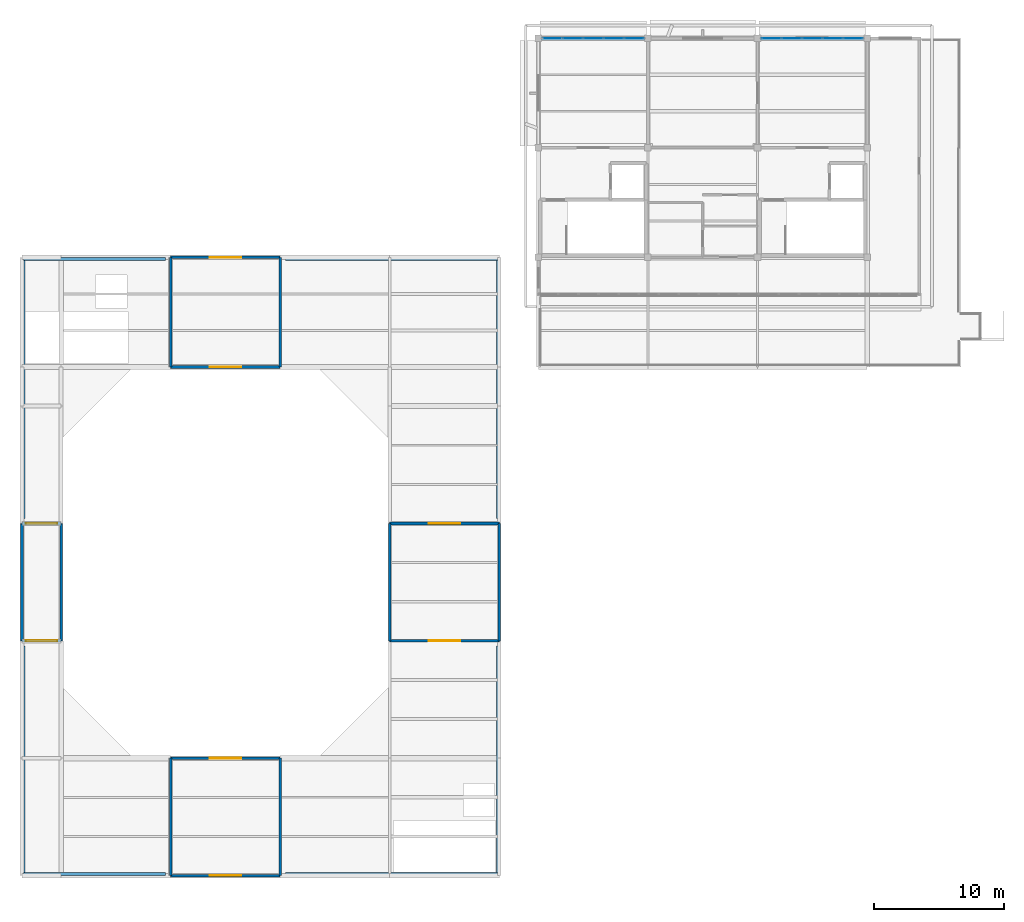
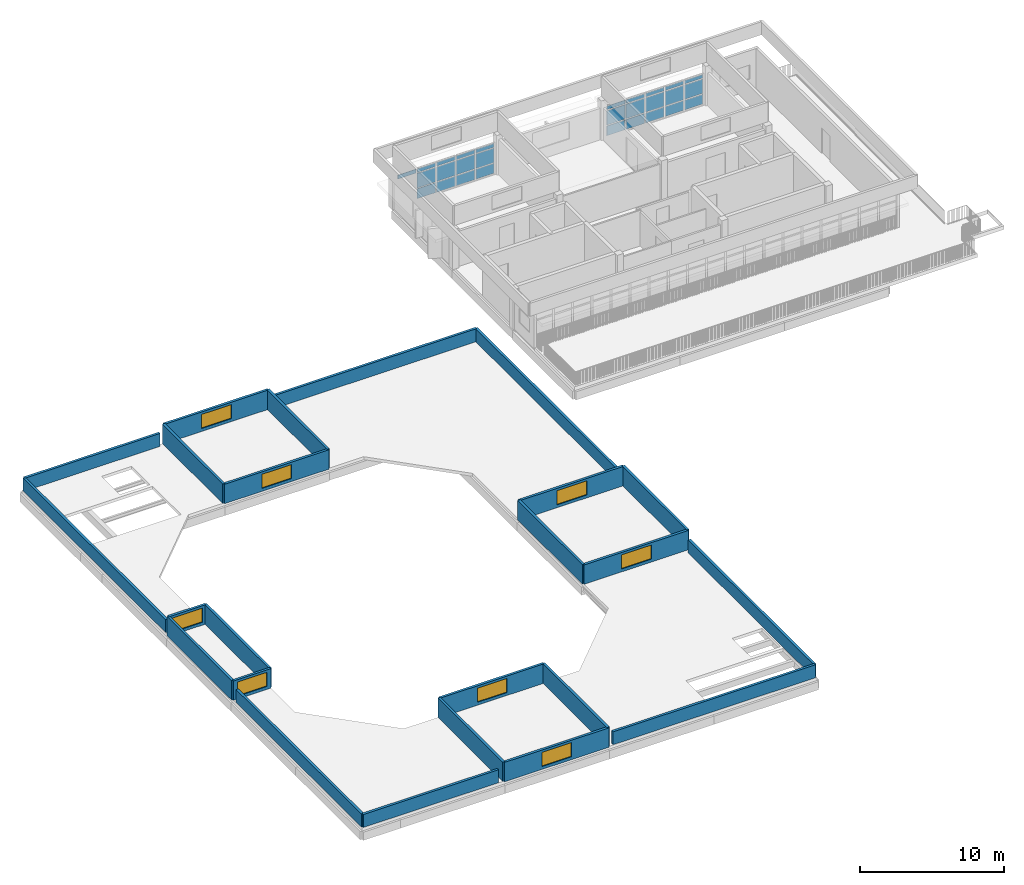
# One storey, part 7 of 14: 28 plates, 24 walls, 8 windows, 8 openings, 2 elements without a shape of their own.
"""IFC4 building model written with IfcOpenShell, lengths in metres."""

from ifc_helpers import new_model, si_unit, direction, frame, frame_2d, origin, origin_2d, place, context, subcontext, project, spatial, rectangle, extrude, material, layer, layer_set, type_object, element, fill, aggregate, save


model = new_model("IFC4")

# Units and contexts
model_context = context("Model", 3, precision=1e-05, world=origin(), true_north=direction((0.0, 1.0)))
body_context = subcontext(model_context, "Body", "Model", "MODEL_VIEW")
ifc_project = project(units=[si_unit("LENGTHUNIT", "METRE"), si_unit("AREAUNIT", "SQUARE_METRE"), si_unit("VOLUMEUNIT", "CUBIC_METRE"), si_unit("PLANEANGLEUNIT", "RADIAN"), si_unit("MASSUNIT", "GRAM", prefix="KILO")], contexts=[model_context])

# Site, building, storey
site_placement = place(None, origin())
site = spatial("IfcSite", under=ifc_project, at=site_placement, CompositionType="ELEMENT")
building_placement = place(site_placement, origin())
building = spatial("IfcBuilding", under=site, at=building_placement, Name="Vanh Quang Courtyard School", CompositionType="ELEMENT")
storey_placement = place(building_placement, frame((0.0, 0.0, 22.199951171875)))
storey = spatial("IfcBuildingStorey", under=building, at=storey_placement, Name="L06", CompositionType="ELEMENT", Elevation=22.199951171875)

# Curtain wall, plates
ifc_material_1 = material(Name="Thermally broken aluminium unitised curtain wall", Category="aluminium")
curtain_wall_type = type_object("IfcCurtainWallType", Name="CW-SYS-23", PredefinedType="NOTDEFINED", material=ifc_material_1)
curtain_wall_1_placement = place(storey_placement, origin())
curtain_wall_1 = element("IfcCurtainWall", 1, at=curtain_wall_1_placement, inside=storey, type_object=curtain_wall_type, Name="Curtain Wall CW-23 (L06)", PredefinedType="NOTDEFINED")
ifc_material_2 = material(Name="Low-E laminated double glazing", Category="glass")
ifc_layer_1 = layer(ifc_material_2, 0.028076171875)
ifc_layer_set_1 = layer_set([ifc_layer_1], Name="Low-E laminated double glazing")
plate_type_1 = type_object("IfcPlateType", Name="CW-PNL-28", PredefinedType="CURTAIN_PANEL", material=ifc_layer_set_1)
plate_1_placement = place(storey_placement, frame((78.4638671875, 96.60009765625, 2.28515625), z_axis=(0.0, 0.0, 1.0), x_axis=(1.0, 0.0, 0.0)))
plate_1 = element("IfcPlate", 2, at=plate_1_placement, type_object=plate_type_1, Name="CW-23 panel 1.3", PredefinedType="CURTAIN_PANEL", context=body_context, shape_type="SweptSolid", body=[
    extrude(rectangle(XDim=1.4716796875, YDim=0.028076171875, at=origin_2d()), origin(), (0.0, 0.0, 1.0), 0.324951171875),
])
plate_2_placement = place(storey_placement, frame((80.023193359375, 96.60009765625, 0.06982421875), z_axis=(0.0, 0.0, 1.0), x_axis=(1.0, 0.0, 0.0)))
plate_2 = element("IfcPlate", 3, at=plate_2_placement, type_object=plate_type_1, Name="CW-23 panel 2.1", PredefinedType="CURTAIN_PANEL", context=body_context, shape_type="SweptSolid", body=[
    extrude(rectangle(XDim=1.5068359375, YDim=0.028076171875, at=origin_2d()), origin(), (0.0, 0.0, 1.0), 0.844970703125),
])
plate_3_placement = place(storey_placement, frame((80.023193359375, 96.60009765625, 0.985107421875), z_axis=(0.0, 0.0, 1.0), x_axis=(1.0, 0.0, 0.0)))
plate_3 = element("IfcPlate", 4, at=plate_3_placement, type_object=plate_type_1, Name="CW-23 panel 2.2", PredefinedType="CURTAIN_PANEL", context=body_context, shape_type="SweptSolid", body=[
    extrude(rectangle(XDim=1.5068359375, YDim=0.028076171875, at=origin_2d()), origin(), (0.0, 0.0, 1.0), 1.22998046875),
])
plate_4_placement = place(storey_placement, frame((80.023193359375, 96.60009765625, 2.28515625), z_axis=(0.0, 0.0, 1.0), x_axis=(1.0, 0.0, 0.0)))
plate_4 = element("IfcPlate", 5, at=plate_4_placement, type_object=plate_type_1, Name="CW-23 panel 2.3", PredefinedType="CURTAIN_PANEL", context=body_context, shape_type="SweptSolid", body=[
    extrude(rectangle(XDim=1.5068359375, YDim=0.028076171875, at=origin_2d()), origin(), (0.0, 0.0, 1.0), 0.324951171875),
])
plate_5_placement = place(storey_placement, frame((81.60009765625, 96.60009765625, 0.06982421875), z_axis=(0.0, 0.0, 1.0), x_axis=(1.0, 0.0, 0.0)))
plate_5 = element("IfcPlate", 6, at=plate_5_placement, type_object=plate_type_1, Name="CW-23 panel 3.1", PredefinedType="CURTAIN_PANEL", context=body_context, shape_type="SweptSolid", body=[
    extrude(rectangle(XDim=1.5068359375, YDim=0.028076171875, at=origin_2d()), origin(), (0.0, 0.0, 1.0), 0.844970703125),
])
plate_6_placement = place(storey_placement, frame((81.60009765625, 96.60009765625, 0.985107421875), z_axis=(0.0, 0.0, 1.0), x_axis=(1.0, 0.0, 0.0)))
plate_6 = element("IfcPlate", 7, at=plate_6_placement, type_object=plate_type_1, Name="CW-23 panel 3.2", PredefinedType="CURTAIN_PANEL", context=body_context, shape_type="SweptSolid", body=[
    extrude(rectangle(XDim=1.5068359375, YDim=0.028076171875, at=origin_2d()), origin(), (0.0, 0.0, 1.0), 1.22998046875),
])
plate_7_placement = place(storey_placement, frame((81.60009765625, 96.60009765625, 2.28515625), z_axis=(0.0, 0.0, 1.0), x_axis=(1.0, 0.0, 0.0)))
plate_7 = element("IfcPlate", 8, at=plate_7_placement, type_object=plate_type_1, Name="CW-23 panel 3.3", PredefinedType="CURTAIN_PANEL", context=body_context, shape_type="SweptSolid", body=[
    extrude(rectangle(XDim=1.5068359375, YDim=0.028076171875, at=origin_2d()), origin(), (0.0, 0.0, 1.0), 0.324951171875),
])
plate_8_placement = place(storey_placement, frame((83.1767578125, 96.60009765625, 0.06982421875), z_axis=(0.0, 0.0, 1.0), x_axis=(1.0, 0.0, 0.0)))
plate_8 = element("IfcPlate", 9, at=plate_8_placement, type_object=plate_type_1, Name="CW-23 panel 4.1", PredefinedType="CURTAIN_PANEL", context=body_context, shape_type="SweptSolid", body=[
    extrude(rectangle(XDim=1.5068359375, YDim=0.028076171875, at=origin_2d()), origin(), (0.0, 0.0, 1.0), 0.844970703125),
])
plate_9_placement = place(storey_placement, frame((83.1767578125, 96.60009765625, 0.985107421875), z_axis=(0.0, 0.0, 1.0), x_axis=(1.0, 0.0, 0.0)))
plate_9 = element("IfcPlate", 10, at=plate_9_placement, type_object=plate_type_1, Name="CW-23 panel 4.2", PredefinedType="CURTAIN_PANEL", context=body_context, shape_type="SweptSolid", body=[
    extrude(rectangle(XDim=1.5068359375, YDim=0.028076171875, at=origin_2d()), origin(), (0.0, 0.0, 1.0), 1.22998046875),
])
plate_10_placement = place(storey_placement, frame((83.1767578125, 96.60009765625, 2.28515625), z_axis=(0.0, 0.0, 1.0), x_axis=(1.0, 0.0, 0.0)))
plate_10 = element("IfcPlate", 11, at=plate_10_placement, type_object=plate_type_1, Name="CW-23 panel 4.3", PredefinedType="CURTAIN_PANEL", context=body_context, shape_type="SweptSolid", body=[
    extrude(rectangle(XDim=1.5068359375, YDim=0.028076171875, at=origin_2d()), origin(), (0.0, 0.0, 1.0), 0.324951171875),
])
plate_11_placement = place(storey_placement, frame((84.736083984375, 96.60009765625, 0.06982421875), z_axis=(0.0, 0.0, 1.0), x_axis=(1.0, 0.0, 0.0)))
plate_11 = element("IfcPlate", 12, at=plate_11_placement, type_object=plate_type_1, Name="CW-23 panel 5.1", PredefinedType="CURTAIN_PANEL", context=body_context, shape_type="SweptSolid", body=[
    extrude(rectangle(XDim=1.4716796875, YDim=0.028076171875, at=origin_2d()), origin(), (0.0, 0.0, 1.0), 0.844970703125),
])
plate_12_placement = place(storey_placement, frame((84.736083984375, 96.60009765625, 0.985107421875), z_axis=(0.0, 0.0, 1.0), x_axis=(1.0, 0.0, 0.0)))
plate_12 = element("IfcPlate", 13, at=plate_12_placement, type_object=plate_type_1, Name="CW-23 panel 5.2", PredefinedType="CURTAIN_PANEL", context=body_context, shape_type="SweptSolid", body=[
    extrude(rectangle(XDim=1.4716796875, YDim=0.028076171875, at=origin_2d()), origin(), (0.0, 0.0, 1.0), 1.22998046875),
])
plate_13_placement = place(storey_placement, frame((84.736083984375, 96.60009765625, 2.28515625), z_axis=(0.0, 0.0, 1.0), x_axis=(1.0, 0.0, 0.0)))
plate_13 = element("IfcPlate", 14, at=plate_13_placement, type_object=plate_type_1, Name="CW-23 panel 5.3", PredefinedType="CURTAIN_PANEL", context=body_context, shape_type="SweptSolid", body=[
    extrude(rectangle(XDim=1.4716796875, YDim=0.028076171875, at=origin_2d()), origin(), (0.0, 0.0, 1.0), 0.324951171875),
])
aggregate(curtain_wall_1, [plate_1, plate_2, plate_3, plate_4, plate_5, plate_6, plate_7, plate_8, plate_9, plate_10, plate_11, plate_12, plate_13])

curtain_wall_2_placement = place(storey_placement, origin())
curtain_wall_2 = element("IfcCurtainWall", 15, at=curtain_wall_2_placement, inside=storey, type_object=curtain_wall_type, Name="Curtain Wall CW-23 (L06)", PredefinedType="NOTDEFINED")
ifc_layer_2 = layer(ifc_material_2, 0.031982421875)
ifc_layer_set_2 = layer_set([ifc_layer_2], Name="Low-E laminated double glazing")
plate_type_2 = type_object("IfcPlateType", Name="CW-PNL-32", PredefinedType="CURTAIN_PANEL", material=ifc_layer_set_2)
plate_14_placement = place(storey_placement, frame((95.266357421875, 96.60009765625, 0.080078125), z_axis=(0.0, 0.0, 1.0), x_axis=(1.0, 0.0, 0.0)))
plate_14 = element("IfcPlate", 16, at=plate_14_placement, type_object=plate_type_2, Name="CW-23 panel 1.1", PredefinedType="CURTAIN_PANEL", context=body_context, shape_type="SweptSolid", body=[
    extrude(rectangle(XDim=1.456787109375, YDim=0.031982421875, at=origin_2d()), origin(), (0.0, 0.0, 1.0), 0.830078125),
])
plate_15_placement = place(storey_placement, frame((95.266357421875, 96.60009765625, 0.990234375), z_axis=(0.0, 0.0, 1.0), x_axis=(1.0, 0.0, 0.0)))
plate_15 = element("IfcPlate", 17, at=plate_15_placement, type_object=plate_type_2, Name="CW-23 panel 1.2", PredefinedType="CURTAIN_PANEL", context=body_context, shape_type="SweptSolid", body=[
    extrude(rectangle(XDim=1.456787109375, YDim=0.031982421875, at=origin_2d()), origin(), (0.0, 0.0, 1.0), 1.219970703125),
])
plate_16_placement = place(storey_placement, frame((95.266357421875, 96.60009765625, 2.2900390625), z_axis=(0.0, 0.0, 1.0), x_axis=(1.0, 0.0, 0.0)))
plate_16 = element("IfcPlate", 18, at=plate_16_placement, type_object=plate_type_2, Name="CW-23 panel 1.3", PredefinedType="CURTAIN_PANEL", context=body_context, shape_type="SweptSolid", body=[
    extrude(rectangle(XDim=1.456787109375, YDim=0.031982421875, at=origin_2d()), origin(), (0.0, 0.0, 1.0), 0.31005859375),
])
plate_17_placement = place(storey_placement, frame((96.8232421875, 96.60009765625, 0.080078125), z_axis=(0.0, 0.0, 1.0), x_axis=(1.0, 0.0, 0.0)))
plate_17 = element("IfcPlate", 19, at=plate_17_placement, type_object=plate_type_2, Name="CW-23 panel 2.1", PredefinedType="CURTAIN_PANEL", context=body_context, shape_type="SweptSolid", body=[
    extrude(rectangle(XDim=1.496826171875, YDim=0.031982421875, at=origin_2d()), origin(), (0.0, 0.0, 1.0), 0.830078125),
])
plate_18_placement = place(storey_placement, frame((96.8232421875, 96.60009765625, 0.990234375), z_axis=(0.0, 0.0, 1.0), x_axis=(1.0, 0.0, 0.0)))
plate_18 = element("IfcPlate", 20, at=plate_18_placement, type_object=plate_type_2, Name="CW-23 panel 2.2", PredefinedType="CURTAIN_PANEL", context=body_context, shape_type="SweptSolid", body=[
    extrude(rectangle(XDim=1.496826171875, YDim=0.031982421875, at=origin_2d()), origin(), (0.0, 0.0, 1.0), 1.219970703125),
])
plate_19_placement = place(storey_placement, frame((96.8232421875, 96.60009765625, 2.2900390625), z_axis=(0.0, 0.0, 1.0), x_axis=(1.0, 0.0, 0.0)))
plate_19 = element("IfcPlate", 21, at=plate_19_placement, type_object=plate_type_2, Name="CW-23 panel 2.3", PredefinedType="CURTAIN_PANEL", context=body_context, shape_type="SweptSolid", body=[
    extrude(rectangle(XDim=1.496826171875, YDim=0.031982421875, at=origin_2d()), origin(), (0.0, 0.0, 1.0), 0.31005859375),
])
plate_20_placement = place(storey_placement, frame((98.39990234375, 96.60009765625, 0.080078125), z_axis=(0.0, 0.0, 1.0), x_axis=(1.0, 0.0, 0.0)))
plate_20 = element("IfcPlate", 22, at=plate_20_placement, type_object=plate_type_2, Name="CW-23 panel 3.1", PredefinedType="CURTAIN_PANEL", context=body_context, shape_type="SweptSolid", body=[
    extrude(rectangle(XDim=1.496826171875, YDim=0.031982421875, at=origin_2d()), origin(), (0.0, 0.0, 1.0), 0.830078125),
])
plate_21_placement = place(storey_placement, frame((98.39990234375, 96.60009765625, 0.990234375), z_axis=(0.0, 0.0, 1.0), x_axis=(1.0, 0.0, 0.0)))
plate_21 = element("IfcPlate", 23, at=plate_21_placement, type_object=plate_type_2, Name="CW-23 panel 3.2", PredefinedType="CURTAIN_PANEL", context=body_context, shape_type="SweptSolid", body=[
    extrude(rectangle(XDim=1.496826171875, YDim=0.031982421875, at=origin_2d()), origin(), (0.0, 0.0, 1.0), 1.219970703125),
])
plate_22_placement = place(storey_placement, frame((98.39990234375, 96.60009765625, 2.2900390625), z_axis=(0.0, 0.0, 1.0), x_axis=(1.0, 0.0, 0.0)))
plate_22 = element("IfcPlate", 24, at=plate_22_placement, type_object=plate_type_2, Name="CW-23 panel 3.3", PredefinedType="CURTAIN_PANEL", context=body_context, shape_type="SweptSolid", body=[
    extrude(rectangle(XDim=1.496826171875, YDim=0.031982421875, at=origin_2d()), origin(), (0.0, 0.0, 1.0), 0.31005859375),
])
plate_23_placement = place(storey_placement, frame((99.976806640625, 96.60009765625, 0.080078125), z_axis=(0.0, 0.0, 1.0), x_axis=(1.0, 0.0, 0.0)))
plate_23 = element("IfcPlate", 25, at=plate_23_placement, type_object=plate_type_2, Name="CW-23 panel 4.1", PredefinedType="CURTAIN_PANEL", context=body_context, shape_type="SweptSolid", body=[
    extrude(rectangle(XDim=1.496826171875, YDim=0.031982421875, at=origin_2d()), origin(), (0.0, 0.0, 1.0), 0.830078125),
])
plate_24_placement = place(storey_placement, frame((99.976806640625, 96.60009765625, 0.990234375), z_axis=(0.0, 0.0, 1.0), x_axis=(1.0, 0.0, 0.0)))
plate_24 = element("IfcPlate", 26, at=plate_24_placement, type_object=plate_type_2, Name="CW-23 panel 4.2", PredefinedType="CURTAIN_PANEL", context=body_context, shape_type="SweptSolid", body=[
    extrude(rectangle(XDim=1.496826171875, YDim=0.031982421875, at=origin_2d()), origin(), (0.0, 0.0, 1.0), 1.219970703125),
])
plate_25_placement = place(storey_placement, frame((99.976806640625, 96.60009765625, 2.2900390625), z_axis=(0.0, 0.0, 1.0), x_axis=(1.0, 0.0, 0.0)))
plate_25 = element("IfcPlate", 27, at=plate_25_placement, type_object=plate_type_2, Name="CW-23 panel 4.3", PredefinedType="CURTAIN_PANEL", context=body_context, shape_type="SweptSolid", body=[
    extrude(rectangle(XDim=1.496826171875, YDim=0.031982421875, at=origin_2d()), origin(), (0.0, 0.0, 1.0), 0.31005859375),
])
plate_26_placement = place(storey_placement, frame((101.53369140625, 96.60009765625, 0.080078125), z_axis=(0.0, 0.0, 1.0), x_axis=(1.0, 0.0, 0.0)))
plate_26 = element("IfcPlate", 28, at=plate_26_placement, type_object=plate_type_2, Name="CW-23 panel 5.1", PredefinedType="CURTAIN_PANEL", context=body_context, shape_type="SweptSolid", body=[
    extrude(rectangle(XDim=1.456787109375, YDim=0.031982421875, at=origin_2d()), origin(), (0.0, 0.0, 1.0), 0.830078125),
])
plate_27_placement = place(storey_placement, frame((101.53369140625, 96.60009765625, 0.990234375), z_axis=(0.0, 0.0, 1.0), x_axis=(1.0, 0.0, 0.0)))
plate_27 = element("IfcPlate", 29, at=plate_27_placement, type_object=plate_type_2, Name="CW-23 panel 5.2", PredefinedType="CURTAIN_PANEL", context=body_context, shape_type="SweptSolid", body=[
    extrude(rectangle(XDim=1.456787109375, YDim=0.031982421875, at=origin_2d()), origin(), (0.0, 0.0, 1.0), 1.219970703125),
])
plate_28_placement = place(storey_placement, frame((101.53369140625, 96.60009765625, 2.2900390625), z_axis=(0.0, 0.0, 1.0), x_axis=(1.0, 0.0, 0.0)))
plate_28 = element("IfcPlate", 30, at=plate_28_placement, type_object=plate_type_2, Name="CW-23 panel 5.3", PredefinedType="CURTAIN_PANEL", context=body_context, shape_type="SweptSolid", body=[
    extrude(rectangle(XDim=1.456787109375, YDim=0.031982421875, at=origin_2d()), origin(), (0.0, 0.0, 1.0), 0.31005859375),
])
aggregate(curtain_wall_2, [plate_14, plate_15, plate_16, plate_17, plate_18, plate_19, plate_20, plate_21, plate_22, plate_23, plate_24, plate_25, plate_26, plate_27, plate_28])

# Wall, opening, window
ifc_material_3 = material(Name="Concrete C35/45", Category="concrete")
ifc_layer_3 = layer(ifc_material_3, 0.199951171875)
ifc_layer_set_3 = layer_set([ifc_layer_3], Name="Concrete C35/45")
wall_type_1 = type_object("IfcWallType", Name="W-MON-200", PredefinedType="SHEAR", material=ifc_layer_set_3)
wall_1_placement = place(storey_placement, frame((49.199951171875, 71.39990234375, 0.0), z_axis=(0.0, 0.0, 1.0), x_axis=(1.0, 0.0, 0.0)))
wall_1 = element("IfcWall", 31, at=wall_1_placement, inside=storey, type_object=wall_type_1, Name="Wall WM-01 (L06)", PredefinedType="SHEAR", context=body_context, shape_type="SweptSolid", body=[
    extrude(rectangle(XDim=8.400146484375, YDim=0.199951171875, at=frame_2d((4.2001953125, 0.0))), origin(), (0.0, 0.0, 1.0), 1.650146484375),
])
opening_1_placement = place(wall_1_placement, frame((3.0, 0.0, 0.25)))
opening_1 = element("IfcOpeningElement", 32, at=opening_1_placement, cuts=wall_1, Name="Opening WN-05", PredefinedType="OPENING", context=body_context, shape_type="SweptSolid", body=[
    extrude(rectangle(XDim=2.39990234375, YDim=1.199951171875, at=frame_2d((1.199951171875, 0.60009765625))), frame((0.0, 0.10986328125, 0.0), z_axis=(0.0, -1.0, 0.0), x_axis=(1.0, 0.0, 0.0)), (0.0, 0.0, 1.0), 0.219970703125),
])
ifc_material_4 = material(Name="Anodised aluminium and low-E double glazing", Category="aluminium")
window_type = type_object("IfcWindowType", Name="WIN-TYP-05", PartitioningType="SINGLE_PANEL", PredefinedType="WINDOW", material=ifc_material_4)
window_1_placement = place(opening_1_placement, origin())
window_1 = element("IfcWindow", 33, at=window_1_placement, inside=storey, type_object=window_type, Name="Window WN-05 (L06)", OverallHeight=1.199951171875, OverallWidth=2.39990234375, PartitioningType="SINGLE_PANEL", PredefinedType="WINDOW", context=body_context, shape_type="SweptSolid", body=[
    extrude(rectangle(XDim=2.39990234375, YDim=1.199951171875, at=frame_2d((1.199951171875, 0.60009765625))), frame((0.0, 0.030029296875, 0.0), z_axis=(0.0, -1.0, 0.0), x_axis=(1.0, 0.0, 0.0)), (0.0, 0.0, 1.0), 0.06005859375),
])
fill(opening_1, window_1)

# Wall
wall_2_placement = place(storey_placement, frame((57.60009765625, 71.39990234375, 0.0), z_axis=(0.0, 0.0, 1.0), x_axis=(0.0, 1.0, 0.0)))
element("IfcWall", 34, at=wall_2_placement, inside=storey, type_object=wall_type_1, Name="Wall WM-01 (L06)", PredefinedType="SHEAR", context=body_context, shape_type="SweptSolid", body=[
    extrude(rectangle(XDim=8.400146484375, YDim=0.199951171875, at=frame_2d((4.2001953125, 0.0))), origin(), (0.0, 0.0, 1.0), 1.650146484375),
])

# Wall, opening, window
wall_3_placement = place(storey_placement, frame((57.60009765625, 79.800048828125, 0.0), z_axis=(0.0, 0.0, 1.0), x_axis=(-1.0, 0.0, 0.0)))
wall_3 = element("IfcWall", 35, at=wall_3_placement, inside=storey, type_object=wall_type_1, Name="Wall WM-01 (L06)", PredefinedType="SHEAR", context=body_context, shape_type="SweptSolid", body=[
    extrude(rectangle(XDim=8.400146484375, YDim=0.199951171875, at=frame_2d((4.2001953125, 0.0))), origin(), (0.0, 0.0, 1.0), 1.650146484375),
])
opening_2_placement = place(wall_3_placement, frame((3.0, 0.0, 0.25)))
opening_2 = element("IfcOpeningElement", 36, at=opening_2_placement, cuts=wall_3, Name="Opening WN-05", PredefinedType="OPENING", context=body_context, shape_type="SweptSolid", body=[
    extrude(rectangle(XDim=2.39990234375, YDim=1.199951171875, at=frame_2d((1.199951171875, 0.60009765625))), frame((0.0, 0.10986328125, 0.0), z_axis=(0.0, -1.0, 0.0), x_axis=(1.0, 0.0, 0.0)), (0.0, 0.0, 1.0), 0.219970703125),
])
window_2_placement = place(opening_2_placement, origin())
window_2 = element("IfcWindow", 37, at=window_2_placement, inside=storey, type_object=window_type, Name="Window WN-05 (L06)", OverallHeight=1.199951171875, OverallWidth=2.39990234375, PartitioningType="SINGLE_PANEL", PredefinedType="WINDOW", context=body_context, shape_type="SweptSolid", body=[
    extrude(rectangle(XDim=2.39990234375, YDim=1.199951171875, at=frame_2d((1.199951171875, 0.60009765625))), frame((0.0, 0.030029296875, 0.0), z_axis=(0.0, -1.0, 0.0), x_axis=(1.0, 0.0, 0.0)), (0.0, 0.0, 1.0), 0.06005859375),
])
fill(opening_2, window_2)

# Wall
wall_4_placement = place(storey_placement, frame((49.199951171875, 79.800048828125, 0.0), z_axis=(0.0, 0.0, 1.0), x_axis=(0.0, -1.0, 0.0)))
element("IfcWall", 38, at=wall_4_placement, inside=storey, type_object=wall_type_1, Name="Wall WM-01 (L06)", PredefinedType="SHEAR", context=body_context, shape_type="SweptSolid", body=[
    extrude(rectangle(XDim=8.400146484375, YDim=0.199951171875, at=frame_2d((4.2001953125, 0.0))), origin(), (0.0, 0.0, 1.0), 1.650146484375),
])

# Wall, opening, window
wall_5_placement = place(storey_placement, frame((49.199951171875, 32.39990234375, 0.0), z_axis=(0.0, 0.0, 1.0), x_axis=(1.0, 0.0, 0.0)))
wall_5 = element("IfcWall", 39, at=wall_5_placement, inside=storey, type_object=wall_type_1, Name="Wall WM-01 (L06)", PredefinedType="SHEAR", context=body_context, shape_type="SweptSolid", body=[
    extrude(rectangle(XDim=8.400146484375, YDim=0.199951171875, at=frame_2d((4.2001953125, 0.0))), origin(), (0.0, 0.0, 1.0), 1.650146484375),
])
opening_3_placement = place(wall_5_placement, frame((3.0, 0.0, 0.25)))
opening_3 = element("IfcOpeningElement", 40, at=opening_3_placement, cuts=wall_5, Name="Opening WN-05", PredefinedType="OPENING", context=body_context, shape_type="SweptSolid", body=[
    extrude(rectangle(XDim=2.39990234375, YDim=1.199951171875, at=frame_2d((1.199951171875, 0.60009765625))), frame((0.0, 0.10986328125, 0.0), z_axis=(0.0, -1.0, 0.0), x_axis=(1.0, 0.0, 0.0)), (0.0, 0.0, 1.0), 0.219970703125),
])
window_3_placement = place(opening_3_placement, origin())
window_3 = element("IfcWindow", 41, at=window_3_placement, inside=storey, type_object=window_type, Name="Window WN-05 (L06)", OverallHeight=1.199951171875, OverallWidth=2.39990234375, PartitioningType="SINGLE_PANEL", PredefinedType="WINDOW", context=body_context, shape_type="SweptSolid", body=[
    extrude(rectangle(XDim=2.39990234375, YDim=1.199951171875, at=frame_2d((1.199951171875, 0.60009765625))), frame((0.0, 0.030029296875, 0.0), z_axis=(0.0, -1.0, 0.0), x_axis=(1.0, 0.0, 0.0)), (0.0, 0.0, 1.0), 0.06005859375),
])
fill(opening_3, window_3)

# Wall
wall_6_placement = place(storey_placement, frame((57.60009765625, 32.39990234375, 0.0), z_axis=(0.0, 0.0, 1.0), x_axis=(0.0, 1.0, 0.0)))
element("IfcWall", 42, at=wall_6_placement, inside=storey, type_object=wall_type_1, Name="Wall WM-01 (L06)", PredefinedType="SHEAR", context=body_context, shape_type="SweptSolid", body=[
    extrude(rectangle(XDim=9.0, YDim=0.199951171875, at=frame_2d((4.5, 0.0))), origin(), (0.0, 0.0, 1.0), 1.650146484375),
])

# Wall, opening, window
wall_7_placement = place(storey_placement, frame((57.60009765625, 41.39990234375, 0.0), z_axis=(0.0, 0.0, 1.0), x_axis=(-1.0, 0.0, 0.0)))
wall_7 = element("IfcWall", 43, at=wall_7_placement, inside=storey, type_object=wall_type_1, Name="Wall WM-01 (L06)", PredefinedType="SHEAR", context=body_context, shape_type="SweptSolid", body=[
    extrude(rectangle(XDim=8.400146484375, YDim=0.199951171875, at=frame_2d((4.2001953125, 0.0))), origin(), (0.0, 0.0, 1.0), 1.650146484375),
])
opening_4_placement = place(wall_7_placement, frame((3.0, 0.0, 0.25)))
opening_4 = element("IfcOpeningElement", 44, at=opening_4_placement, cuts=wall_7, Name="Opening WN-05", PredefinedType="OPENING", context=body_context, shape_type="SweptSolid", body=[
    extrude(rectangle(XDim=2.39990234375, YDim=1.199951171875, at=frame_2d((1.199951171875, 0.60009765625))), frame((0.0, 0.10986328125, 0.0), z_axis=(0.0, -1.0, 0.0), x_axis=(1.0, 0.0, 0.0)), (0.0, 0.0, 1.0), 0.219970703125),
])
window_4_placement = place(opening_4_placement, origin())
window_4 = element("IfcWindow", 45, at=window_4_placement, inside=storey, type_object=window_type, Name="Window WN-05 (L06)", OverallHeight=1.199951171875, OverallWidth=2.39990234375, PartitioningType="SINGLE_PANEL", PredefinedType="WINDOW", context=body_context, shape_type="SweptSolid", body=[
    extrude(rectangle(XDim=2.39990234375, YDim=1.199951171875, at=frame_2d((1.199951171875, 0.60009765625))), frame((0.0, 0.030029296875, 0.0), z_axis=(0.0, -1.0, 0.0), x_axis=(1.0, 0.0, 0.0)), (0.0, 0.0, 1.0), 0.06005859375),
])
fill(opening_4, window_4)

# Wall
wall_8_placement = place(storey_placement, frame((49.199951171875, 41.39990234375, 0.0), z_axis=(0.0, 0.0, 1.0), x_axis=(0.0, -1.0, 0.0)))
element("IfcWall", 46, at=wall_8_placement, inside=storey, type_object=wall_type_1, Name="Wall WM-01 (L06)", PredefinedType="SHEAR", context=body_context, shape_type="SweptSolid", body=[
    extrude(rectangle(XDim=9.0, YDim=0.199951171875, at=frame_2d((4.5, 0.0))), origin(), (0.0, 0.0, 1.0), 1.650146484375),
])

# Wall, opening, window
wall_9_placement = place(storey_placement, frame((37.800048828125, 50.39990234375, 0.0), z_axis=(0.0, 0.0, 1.0), x_axis=(1.0, 0.0, 0.0)))
wall_9 = element("IfcWall", 47, at=wall_9_placement, inside=storey, type_object=wall_type_1, Name="Wall WM-01 (L06)", PredefinedType="SHEAR", context=body_context, shape_type="SweptSolid", body=[
    extrude(rectangle(XDim=3.0, YDim=0.199951171875, at=frame_2d((1.5, 0.0))), origin(), (0.0, 0.0, 1.0), 1.650146484375),
])
opening_5_placement = place(wall_9_placement, frame((0.300048828125, 0.0, 0.25)))
opening_5 = element("IfcOpeningElement", 48, at=opening_5_placement, cuts=wall_9, Name="Opening WN-05", PredefinedType="OPENING", context=body_context, shape_type="SweptSolid", body=[
    extrude(rectangle(XDim=2.39990234375, YDim=1.199951171875, at=frame_2d((1.199951171875, 0.60009765625))), frame((0.0, 0.10986328125, 0.0), z_axis=(0.0, -1.0, 0.0), x_axis=(1.0, 0.0, 0.0)), (0.0, 0.0, 1.0), 0.219970703125),
])
window_5_placement = place(opening_5_placement, origin())
window_5 = element("IfcWindow", 49, at=window_5_placement, inside=storey, type_object=window_type, Name="Window WN-05 (L06)", OverallHeight=1.199951171875, OverallWidth=2.39990234375, PartitioningType="SINGLE_PANEL", PredefinedType="WINDOW", context=body_context, shape_type="SweptSolid", body=[
    extrude(rectangle(XDim=2.39990234375, YDim=1.199951171875, at=frame_2d((1.199951171875, 0.60009765625))), frame((0.0, 0.030029296875, 0.0), z_axis=(0.0, -1.0, 0.0), x_axis=(1.0, 0.0, 0.0)), (0.0, 0.0, 1.0), 0.06005859375),
])
fill(opening_5, window_5)

# Wall
wall_10_placement = place(storey_placement, frame((40.800048828125, 50.39990234375, 0.0), z_axis=(0.0, 0.0, 1.0), x_axis=(0.0, 1.0, 0.0)))
element("IfcWall", 50, at=wall_10_placement, inside=storey, type_object=wall_type_1, Name="Wall WM-01 (L06)", PredefinedType="SHEAR", context=body_context, shape_type="SweptSolid", body=[
    extrude(rectangle(XDim=9.0, YDim=0.199951171875, at=frame_2d((4.5, 0.0))), origin(), (0.0, 0.0, 1.0), 1.650146484375),
])

# Wall, opening, window
wall_11_placement = place(storey_placement, frame((40.800048828125, 59.39990234375, 0.0), z_axis=(0.0, 0.0, 1.0), x_axis=(-1.0, 0.0, 0.0)))
wall_11 = element("IfcWall", 51, at=wall_11_placement, inside=storey, type_object=wall_type_1, Name="Wall WM-01 (L06)", PredefinedType="SHEAR", context=body_context, shape_type="SweptSolid", body=[
    extrude(rectangle(XDim=3.0, YDim=0.199951171875, at=frame_2d((1.5, 0.0))), origin(), (0.0, 0.0, 1.0), 1.650146484375),
])
opening_6_placement = place(wall_11_placement, frame((0.300048828125, 0.0, 0.25)))
opening_6 = element("IfcOpeningElement", 52, at=opening_6_placement, cuts=wall_11, Name="Opening WN-05", PredefinedType="OPENING", context=body_context, shape_type="SweptSolid", body=[
    extrude(rectangle(XDim=2.39990234375, YDim=1.199951171875, at=frame_2d((1.199951171875, 0.60009765625))), frame((0.0, 0.10986328125, 0.0), z_axis=(0.0, -1.0, 0.0), x_axis=(1.0, 0.0, 0.0)), (0.0, 0.0, 1.0), 0.219970703125),
])
window_6_placement = place(opening_6_placement, origin())
window_6 = element("IfcWindow", 53, at=window_6_placement, inside=storey, type_object=window_type, Name="Window WN-05 (L06)", OverallHeight=1.199951171875, OverallWidth=2.39990234375, PartitioningType="SINGLE_PANEL", PredefinedType="WINDOW", context=body_context, shape_type="SweptSolid", body=[
    extrude(rectangle(XDim=2.39990234375, YDim=1.199951171875, at=frame_2d((1.199951171875, 0.60009765625))), frame((0.0, 0.030029296875, 0.0), z_axis=(0.0, -1.0, 0.0), x_axis=(1.0, 0.0, 0.0)), (0.0, 0.0, 1.0), 0.06005859375),
])
fill(opening_6, window_6)

# Wall
wall_12_placement = place(storey_placement, frame((37.800048828125, 59.39990234375, 0.0), z_axis=(0.0, 0.0, 1.0), x_axis=(0.0, -1.0, 0.0)))
element("IfcWall", 54, at=wall_12_placement, inside=storey, type_object=wall_type_1, Name="Wall WM-01 (L06)", PredefinedType="SHEAR", context=body_context, shape_type="SweptSolid", body=[
    extrude(rectangle(XDim=9.0, YDim=0.199951171875, at=frame_2d((4.5, 0.0))), origin(), (0.0, 0.0, 1.0), 1.650146484375),
])

# Wall, opening, window
wall_13_placement = place(storey_placement, frame((66.0, 50.39990234375, 0.0), z_axis=(0.0, 0.0, 1.0), x_axis=(1.0, 0.0, 0.0)))
wall_13 = element("IfcWall", 55, at=wall_13_placement, inside=storey, type_object=wall_type_1, Name="Wall WM-01 (L06)", PredefinedType="SHEAR", context=body_context, shape_type="SweptSolid", body=[
    extrude(rectangle(XDim=8.39990234375, YDim=0.199951171875, at=frame_2d((4.199951171875, 0.0))), origin(), (0.0, 0.0, 1.0), 1.650146484375),
])
opening_7_placement = place(wall_13_placement, frame((3.0, 0.0, 0.25)))
opening_7 = element("IfcOpeningElement", 56, at=opening_7_placement, cuts=wall_13, Name="Opening WN-05", PredefinedType="OPENING", context=body_context, shape_type="SweptSolid", body=[
    extrude(rectangle(XDim=2.39990234375, YDim=1.199951171875, at=frame_2d((1.199951171875, 0.60009765625))), frame((0.0, 0.10986328125, 0.0), z_axis=(0.0, -1.0, 0.0), x_axis=(1.0, 0.0, 0.0)), (0.0, 0.0, 1.0), 0.219970703125),
])
window_7_placement = place(opening_7_placement, origin())
window_7 = element("IfcWindow", 57, at=window_7_placement, inside=storey, type_object=window_type, Name="Window WN-05 (L06)", OverallHeight=1.199951171875, OverallWidth=2.39990234375, PartitioningType="SINGLE_PANEL", PredefinedType="WINDOW", context=body_context, shape_type="SweptSolid", body=[
    extrude(rectangle(XDim=2.39990234375, YDim=1.199951171875, at=frame_2d((1.199951171875, 0.60009765625))), frame((0.0, 0.030029296875, 0.0), z_axis=(0.0, -1.0, 0.0), x_axis=(1.0, 0.0, 0.0)), (0.0, 0.0, 1.0), 0.06005859375),
])
fill(opening_7, window_7)

# Wall
wall_14_placement = place(storey_placement, frame((74.39990234375, 50.39990234375, 0.0), z_axis=(0.0, 0.0, 1.0), x_axis=(0.0, 1.0, 0.0)))
element("IfcWall", 58, at=wall_14_placement, inside=storey, type_object=wall_type_1, Name="Wall WM-01 (L06)", PredefinedType="SHEAR", context=body_context, shape_type="SweptSolid", body=[
    extrude(rectangle(XDim=9.0, YDim=0.199951171875, at=frame_2d((4.5, 0.0))), origin(), (0.0, 0.0, 1.0), 1.650146484375),
])

# Wall, opening, window
wall_15_placement = place(storey_placement, frame((74.39990234375, 59.39990234375, 0.0), z_axis=(0.0, 0.0, 1.0), x_axis=(-1.0, 0.0, 0.0)))
wall_15 = element("IfcWall", 59, at=wall_15_placement, inside=storey, type_object=wall_type_1, Name="Wall WM-01 (L06)", PredefinedType="SHEAR", context=body_context, shape_type="SweptSolid", body=[
    extrude(rectangle(XDim=8.39990234375, YDim=0.199951171875, at=frame_2d((4.199951171875, 0.0))), origin(), (0.0, 0.0, 1.0), 1.650146484375),
])
opening_8_placement = place(wall_15_placement, frame((3.0, 0.0, 0.25)))
opening_8 = element("IfcOpeningElement", 60, at=opening_8_placement, cuts=wall_15, Name="Opening WN-05", PredefinedType="OPENING", context=body_context, shape_type="SweptSolid", body=[
    extrude(rectangle(XDim=2.39990234375, YDim=1.199951171875, at=frame_2d((1.199951171875, 0.60009765625))), frame((0.0, 0.10986328125, 0.0), z_axis=(0.0, -1.0, 0.0), x_axis=(1.0, 0.0, 0.0)), (0.0, 0.0, 1.0), 0.219970703125),
])
window_8_placement = place(opening_8_placement, origin())
window_8 = element("IfcWindow", 61, at=window_8_placement, inside=storey, type_object=window_type, Name="Window WN-05 (L06)", OverallHeight=1.199951171875, OverallWidth=2.39990234375, PartitioningType="SINGLE_PANEL", PredefinedType="WINDOW", context=body_context, shape_type="SweptSolid", body=[
    extrude(rectangle(XDim=2.39990234375, YDim=1.199951171875, at=frame_2d((1.199951171875, 0.60009765625))), frame((0.0, 0.030029296875, 0.0), z_axis=(0.0, -1.0, 0.0), x_axis=(1.0, 0.0, 0.0)), (0.0, 0.0, 1.0), 0.06005859375),
])
fill(opening_8, window_8)

# Walls
wall_16_placement = place(storey_placement, frame((66.0, 59.39990234375, 0.0), z_axis=(0.0, 0.0, 1.0), x_axis=(0.0, -1.0, 0.0)))
element("IfcWall", 62, at=wall_16_placement, inside=storey, type_object=wall_type_1, Name="Wall WM-01 (L06)", PredefinedType="SHEAR", context=body_context, shape_type="SweptSolid", body=[
    extrude(rectangle(XDim=9.0, YDim=0.199951171875, at=frame_2d((4.5, 0.0))), origin(), (0.0, 0.0, 1.0), 1.650146484375),
])
ifc_layer_4 = layer(ifc_material_3, 0.199951171875)
ifc_layer_set_4 = layer_set([ifc_layer_4], Name="Concrete C35/45")
wall_type_2 = type_object("IfcWallType", Name="W-PAR-200", PredefinedType="PARAPET", material=ifc_layer_set_4)
wall_17_placement = place(storey_placement, frame((37.919921875, 32.52001953125, 0.0), z_axis=(0.0, 0.0, 1.0), x_axis=(0.0, 1.0, 0.0)))
element("IfcWall", 63, at=wall_17_placement, inside=storey, type_object=wall_type_2, Name="Wall WP-01 (L06)", PredefinedType="PARAPET", context=body_context, shape_type="SweptSolid", body=[
    extrude(rectangle(XDim=17.47998046875, YDim=0.199951171875, at=frame_2d((8.739990234375, 0.0))), origin(), (0.0, 0.0, 1.0), 1.10009765625),
])
wall_18_placement = place(storey_placement, frame((37.919921875, 59.800048828125, 0.0), z_axis=(0.0, 0.0, 1.0), x_axis=(0.0, 1.0, 0.0)))
element("IfcWall", 64, at=wall_18_placement, inside=storey, type_object=wall_type_2, Name="Wall WP-01 (L06)", PredefinedType="PARAPET", context=body_context, shape_type="SweptSolid", body=[
    extrude(rectangle(XDim=19.8798828125, YDim=0.199951171875, at=frame_2d((9.93994140625, 0.0))), origin(), (0.0, 0.0, 1.0), 1.10009765625),
])
wall_19_placement = place(storey_placement, frame((37.919921875, 79.679931640625, 0.0), z_axis=(0.0, 0.0, 1.0), x_axis=(1.0, 0.0, 0.0)))
element("IfcWall", 65, at=wall_19_placement, inside=storey, type_object=wall_type_2, Name="Wall WP-01 (L06)", PredefinedType="PARAPET", context=body_context, shape_type="SweptSolid", body=[
    extrude(rectangle(XDim=10.880126953125, YDim=0.199951171875, at=frame_2d((5.43994140625, 0.0))), origin(), (0.0, 0.0, 1.0), 1.10009765625),
])
wall_20_placement = place(storey_placement, frame((58.0, 79.679931640625, 0.0), z_axis=(0.0, 0.0, 1.0), x_axis=(1.0, 0.0, 0.0)))
element("IfcWall", 66, at=wall_20_placement, inside=storey, type_object=wall_type_2, Name="Wall WP-01 (L06)", PredefinedType="PARAPET", context=body_context, shape_type="SweptSolid", body=[
    extrude(rectangle(XDim=16.280029296875, YDim=0.199951171875, at=frame_2d((8.14013671875, 0.0))), origin(), (0.0, 0.0, 1.0), 1.10009765625),
])
wall_21_placement = place(storey_placement, frame((74.280029296875, 79.679931640625, 0.0), z_axis=(0.0, 0.0, 1.0), x_axis=(0.0, -1.0, 0.0)))
element("IfcWall", 67, at=wall_21_placement, inside=storey, type_object=wall_type_2, Name="Wall WP-01 (L06)", PredefinedType="PARAPET", context=body_context, shape_type="SweptSolid", body=[
    extrude(rectangle(XDim=19.8798828125, YDim=0.199951171875, at=frame_2d((9.93994140625, 0.0))), origin(), (0.0, 0.0, 1.0), 1.10009765625),
])
wall_22_placement = place(storey_placement, frame((74.280029296875, 50.0, 0.0), z_axis=(0.0, 0.0, 1.0), x_axis=(0.0, -1.0, 0.0)))
element("IfcWall", 68, at=wall_22_placement, inside=storey, type_object=wall_type_2, Name="Wall WP-01 (L06)", PredefinedType="PARAPET", context=body_context, shape_type="SweptSolid", body=[
    extrude(rectangle(XDim=17.47998046875, YDim=0.199951171875, at=frame_2d((8.739990234375, 0.0))), origin(), (0.0, 0.0, 1.0), 1.10009765625),
])
wall_23_placement = place(storey_placement, frame((74.280029296875, 32.52001953125, 0.0), z_axis=(0.0, 0.0, 1.0), x_axis=(-1.0, 0.0, 0.0)))
element("IfcWall", 69, at=wall_23_placement, inside=storey, type_object=wall_type_2, Name="Wall WP-01 (L06)", PredefinedType="PARAPET", context=body_context, shape_type="SweptSolid", body=[
    extrude(rectangle(XDim=16.280029296875, YDim=0.199951171875, at=frame_2d((8.14013671875, 0.0))), origin(), (0.0, 0.0, 1.0), 1.10009765625),
])
wall_24_placement = place(storey_placement, frame((48.800048828125, 32.52001953125, 0.0), z_axis=(0.0, 0.0, 1.0), x_axis=(-1.0, 0.0, 0.0)))
element("IfcWall", 70, at=wall_24_placement, inside=storey, type_object=wall_type_2, Name="Wall WP-01 (L06)", PredefinedType="PARAPET", context=body_context, shape_type="SweptSolid", body=[
    extrude(rectangle(XDim=10.880126953125, YDim=0.199951171875, at=frame_2d((5.43994140625, 0.0))), origin(), (0.0, 0.0, 1.0), 1.10009765625),
])

save(model, "model.ifc")
